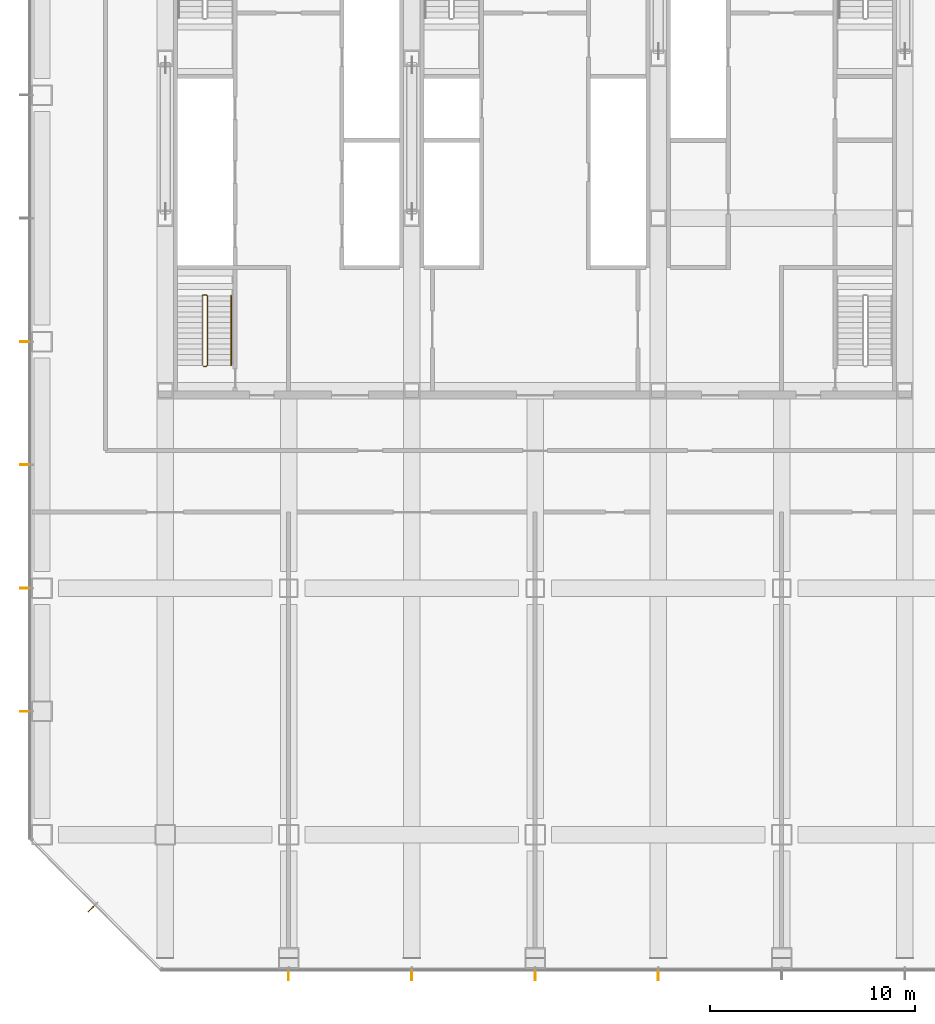
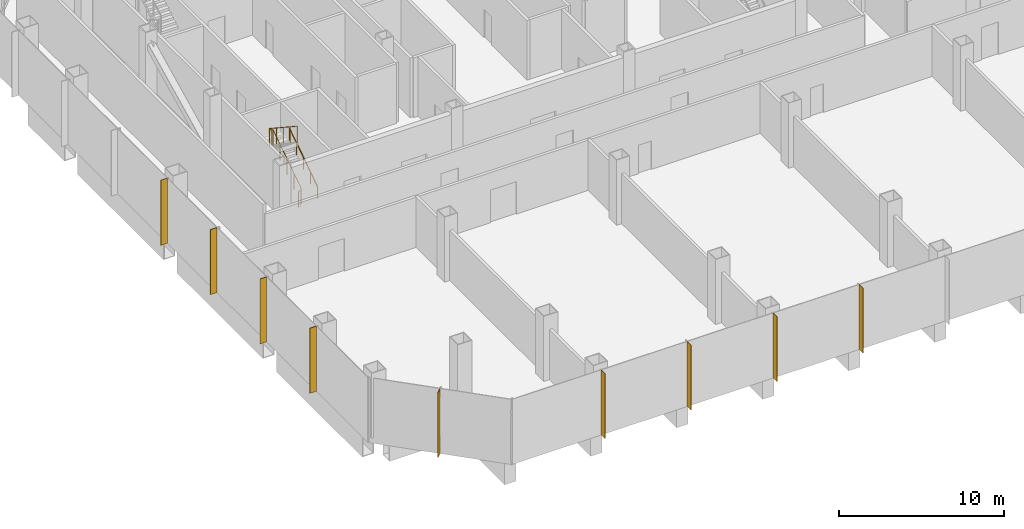
# One storey, part 28 of 34: 9 shading devices, 2 railings.
"""IFC4 building model written with IfcOpenShell, lengths in metres."""

from ifc_helpers import new_model, si_unit, direction, frame, origin, origin_2d, place, context, subcontext, project, spatial, rectangle, circle, extrude, material, material_profile, profile_set, type_object, element, save


model = new_model("IFC4")

# Units and contexts
model_context = context("Model", 3, precision=1e-05, world=origin(), true_north=direction((0.0, 1.0)))
body_context = subcontext(model_context, "Body", "Model", "MODEL_VIEW")
ifc_project = project(units=[si_unit("LENGTHUNIT", "METRE"), si_unit("AREAUNIT", "SQUARE_METRE"), si_unit("VOLUMEUNIT", "CUBIC_METRE"), si_unit("PLANEANGLEUNIT", "RADIAN"), si_unit("MASSUNIT", "GRAM", prefix="KILO")], contexts=[model_context])

# Site, building, storey
site_placement = place(None, origin())
site = spatial("IfcSite", under=ifc_project, at=site_placement, CompositionType="ELEMENT")
building_placement = place(site_placement, origin())
building = spatial("IfcBuilding", under=site, at=building_placement, Name="Sorahane Residences", CompositionType="ELEMENT")
storey_placement = place(building_placement, frame((0.0, 0.0, 20.39990234375)))
storey = spatial("IfcBuildingStorey", under=building, at=storey_placement, Name="L02", CompositionType="ELEMENT", Elevation=20.39990234375)

# Shading devices
ifc_material_1 = material(Name="Terracotta anodised aluminium", Category="masonry")
ifc_material_profile = material_profile(ifc_material_1, rectangle(XDim=0.449951171875, YDim=0.0400390625, at=origin_2d()), Name="Podium vertical fin terracotta anodised aluminium 450x40")
ifc_profile_set = profile_set([ifc_material_profile], Name="Terracotta anodised aluminium")
shading_device_type = type_object("IfcShadingDeviceType", Name="Podium vertical fin terracotta anodised aluminium 450x40", PredefinedType="USERDEFINED", material=ifc_profile_set)
for number, where, z_axis, x_axis, name in (
    (1, (12.0, -6.844970703125, -0.39990234375), (0.0, 0.0, 1.0), (0.0, -1.0, 0.0), "Podium vertical fin L02 S1.1"),
    (2, (18.0, -6.844970703125, -0.39990234375), (0.0, 0.0, 1.0), (0.0, -1.0, 0.0), "Podium vertical fin L02 S1.2"),
    (3, (24.0, -6.844970703125, -0.39990234375), (0.0, 0.0, 1.0), (0.0, -1.0, 0.0), "Podium vertical fin L02 S1.3"),
    (4, (30.0, -6.844970703125, -0.39990234375), (0.0, 0.0, 1.0), (0.0, -1.0, 0.0), "Podium vertical fin L02 S1.4"),
    (5, (-0.844970703125, 24.0, -0.39990234375), (0.0, 0.0, 1.0), (-1.0, 0.0, 0.0), "Podium vertical fin L02 W1.4"),
    (6, (-0.844970703125, 18.0, -0.39990234375), (0.0, 0.0, 1.0), (-1.0, 0.0, 0.0), "Podium vertical fin L02 W1.5"),
    (7, (-0.844970703125, 12.0, -0.39990234375), (0.0, 0.0, 1.0), (-1.0, 0.0, 0.0), "Podium vertical fin L02 W1.6"),
    (8, (-0.844970703125, 6.0, -0.39990234375), (0.0, 0.0, 1.0), (-1.0, 0.0, 0.0), "Podium vertical fin L02 W1.7"),
    (9, (2.402587890625, -3.597412109375, -0.39990234375), (0.0, 0.0, 1.0), (-0.707106781187, -0.707106781187, 0.0), "Podium vertical fin L02 SW1.1"),
):
    element("IfcShadingDevice", number, at=place(storey_placement, frame(where, z_axis=z_axis, x_axis=x_axis)), inside=storey, type_object=shading_device_type, Name=name, ObjectType="Vertical fin", PredefinedType="USERDEFINED", context=body_context, shape_type="SweptSolid", body=[
        extrude(rectangle(XDim=0.449951171875, YDim=0.0400390625, at=origin_2d()), origin(), (0.0, 0.0, 1.0), 4.800048828125),
    ])

# Railings
ifc_material_2 = material(Name="Steel Q355B", Category="steel")
railing_type_1 = type_object("IfcRailingType", Name="Stair guard 1200 Steel Q355B", PredefinedType="GUARDRAIL", material=ifc_material_2)
railing_1_placement = place(storey_placement, frame((7.85009765625, 22.800048828125, 0.0)))
element("IfcRailing", 10, at=railing_1_placement, inside=storey, type_object=railing_type_1, Name="L02 S4 stair guard 1", PredefinedType="GUARDRAIL", context=body_context, shape_type="SweptSolid", body=[
    extrude(circle(Radius=0.02392578125, at=origin_2d()), frame((0.0, 0.0, 1.17578125), z_axis=(1.0, 0.0, 0.0), x_axis=(0.0, 1.0, 0.0)), (0.0, 0.0, 1.0), 0.14990234375),
    extrude(circle(Radius=0.02392578125, at=origin_2d()), frame((0.14990234375, 0.0, 1.17578125), z_axis=(0.269583098496, 0.269583098496, 0.924472771914), x_axis=(-0.707106781187, 0.707106781187, 0.0)), (0.0, 0.0, 1.0), 0.185546875),
    extrude(circle(Radius=0.02392578125, at=origin_2d()), frame((0.199951171875, 0.050048828125, 1.34765625), z_axis=(0.0, 0.83485994896, 0.550462410727), x_axis=(-1.0, 0.0, 0.0)), (0.0, 0.0, 1.0), 4.04833984375),
    extrude(circle(Radius=0.02392578125, at=origin_2d()), frame((0.199951171875, 3.429931640625, 3.576171875), z_axis=(-0.707106781187, 0.707106781187, 0.0), x_axis=(-0.707106781187, -0.707106781187, 0.0)), (0.0, 0.0, 1.0), 0.07080078125),
    extrude(circle(Radius=0.02392578125, at=origin_2d()), frame((0.14990234375, 3.47998046875, 3.576171875), z_axis=(-1.0, 0.0, 0.0), x_axis=(0.0, -1.0, 0.0)), (0.0, 0.0, 1.0), 0.14990234375),
    extrude(circle(Radius=0.02392578125, at=origin_2d()), frame((0.0, 3.47998046875, 3.576171875), z_axis=(-0.269911200495, -0.269911200495, 0.924281281696), x_axis=(0.707106781187, -0.707106781187, 0.0)), (0.0, 0.0, 1.0), 0.185546875),
    extrude(circle(Radius=0.02392578125, at=origin_2d()), frame((-0.050048828125, 3.429931640625, 3.74755859375), z_axis=(0.0, -0.83485994896, 0.550462410727), x_axis=(1.0, 0.0, 0.0)), (0.0, 0.0, 1.0), 4.04833984375),
    extrude(circle(Radius=0.02099609375, at=origin_2d()), origin(), (0.0, 0.0, 1.0), 1.15185546875),
    extrude(circle(Radius=0.02099609375, at=origin_2d()), frame((0.14990234375, 0.0, 0.0)), (0.0, 0.0, 1.0), 1.15185546875),
    extrude(circle(Radius=0.02099609375, at=origin_2d()), frame((0.199951171875, 0.050048828125, 0.171630859375)), (0.0, 0.0, 1.0), 1.15185546875),
    extrude(circle(Radius=0.02099609375, at=origin_2d()), frame((0.199951171875, 0.89501953125, 0.728759765625)), (0.0, 0.0, 1.0), 1.15185546875),
    extrude(circle(Radius=0.02099609375, at=origin_2d()), frame((0.199951171875, 1.739990234375, 1.285888671875)), (0.0, 0.0, 1.0), 1.15185546875),
    extrude(circle(Radius=0.02099609375, at=origin_2d()), frame((0.199951171875, 2.5849609375, 1.843017578125)), (0.0, 0.0, 1.0), 1.15185546875),
    extrude(circle(Radius=0.02099609375, at=origin_2d()), frame((0.199951171875, 3.429931640625, 2.400146484375)), (0.0, 0.0, 1.0), 1.15185546875),
    extrude(circle(Radius=0.02099609375, at=origin_2d()), frame((0.14990234375, 3.47998046875, 2.400146484375)), (0.0, 0.0, 1.0), 1.15185546875),
    extrude(circle(Radius=0.02099609375, at=origin_2d()), frame((0.0, 3.47998046875, 2.400146484375)), (0.0, 0.0, 1.0), 1.15185546875),
    extrude(circle(Radius=0.02099609375, at=origin_2d()), frame((-0.050048828125, 3.429931640625, 2.571533203125)), (0.0, 0.0, 1.0), 1.15185546875),
    extrude(circle(Radius=0.02099609375, at=origin_2d()), frame((-0.050048828125, 2.5849609375, 3.128662109375)), (0.0, 0.0, 1.0), 1.15185546875),
    extrude(circle(Radius=0.02099609375, at=origin_2d()), frame((-0.050048828125, 1.739990234375, 3.685791015625)), (0.0, 0.0, 1.0), 1.15185546875),
    extrude(circle(Radius=0.02099609375, at=origin_2d()), frame((-0.050048828125, 0.89501953125, 4.242919921875)), (0.0, 0.0, 1.0), 1.15185546875),
    extrude(circle(Radius=0.02099609375, at=origin_2d()), frame((-0.050048828125, 0.050048828125, 4.800048828125)), (0.0, 0.0, 1.0), 1.15185546875),
])
ifc_material_3 = material(Name="Steel Q355B", Category="steel")
railing_type_2 = type_object("IfcRailingType", Name="Stair handrail 900 Steel Q355B", PredefinedType="HANDRAIL", material=ifc_material_3)
railing_2_placement = place(storey_placement, frame((9.199951171875, 22.85009765625, 0.171630859375)))
element("IfcRailing", 11, at=railing_2_placement, inside=storey, type_object=railing_type_2, Name="L02 S4 stair handrail 1", PredefinedType="HANDRAIL", context=body_context, shape_type="SweptSolid", body=[
    extrude(circle(Radius=0.02392578125, at=origin_2d()), frame((0.0, 0.0, 0.8759765625), z_axis=(0.0, 0.83485994896, 0.550462410727), x_axis=(-1.0, 0.0, 0.0)), (0.0, 0.0, 1.0), 4.04833984375),
    extrude(circle(Radius=0.02099609375, at=origin_2d()), origin(), (0.0, 0.0, 1.0), 0.851806640625),
    extrude(circle(Radius=0.02099609375, at=origin_2d()), frame((0.0, 0.844970703125, 0.55712890625)), (0.0, 0.0, 1.0), 0.851806640625),
    extrude(circle(Radius=0.02099609375, at=origin_2d()), frame((0.0, 1.68994140625, 1.1142578125)), (0.0, 0.0, 1.0), 0.851806640625),
    extrude(circle(Radius=0.02099609375, at=origin_2d()), frame((0.0, 2.534912109375, 1.67138671875)), (0.0, 0.0, 1.0), 0.851806640625),
    extrude(circle(Radius=0.02099609375, at=origin_2d()), frame((0.0, 3.3798828125, 2.228515625)), (0.0, 0.0, 1.0), 0.851806640625),
])

save(model, "model.ifc")
